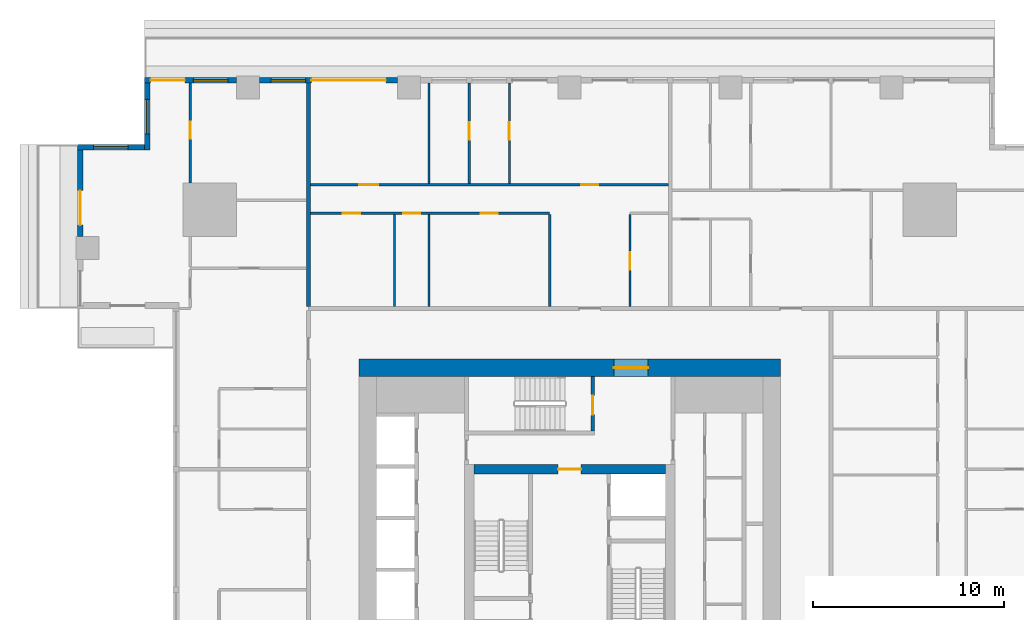
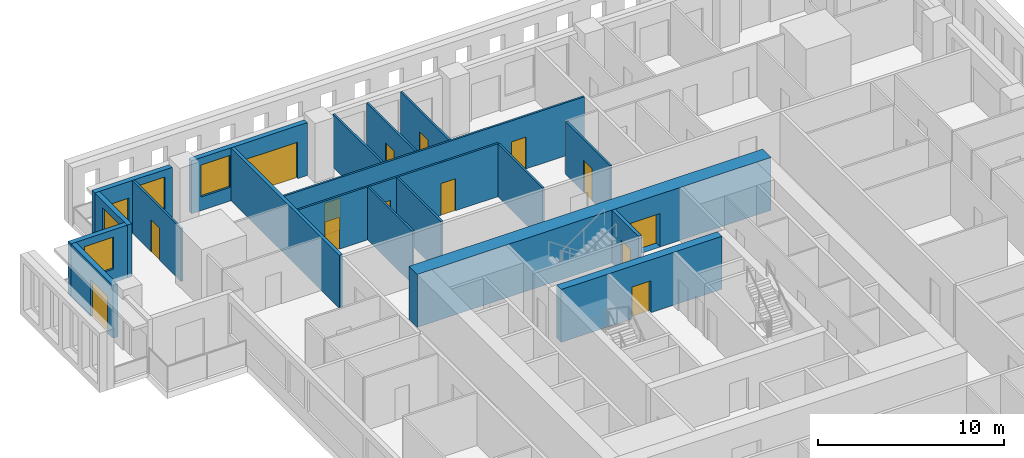
# One storey, part 7 of 15: 19 walls, 15 doors, 4 windows, 19 openings.
"""IFC4 building model written with IfcOpenShell, lengths in metres."""

from ifc_helpers import new_model, si_unit, direction, frame, frame_2d, origin, place, context, subcontext, project, spatial, rectangle, extrude, material, layer, layer_set, type_object, element, fill, save


model = new_model("IFC4")

# Units and contexts
model_context = context("Model", 3, precision=1e-05, world=origin(), true_north=direction((0.0, 1.0)))
body_context = subcontext(model_context, "Body", "Model", "MODEL_VIEW")
ifc_project = project(units=[si_unit("LENGTHUNIT", "METRE"), si_unit("AREAUNIT", "SQUARE_METRE"), si_unit("VOLUMEUNIT", "CUBIC_METRE"), si_unit("PLANEANGLEUNIT", "RADIAN"), si_unit("MASSUNIT", "GRAM", prefix="KILO")], contexts=[model_context])

# Site, building, storey
site_placement = place(None, origin())
site = spatial("IfcSite", under=ifc_project, at=site_placement, CompositionType="ELEMENT")
building_placement = place(site_placement, origin())
building = spatial("IfcBuilding", under=site, at=building_placement, Name="Khepri Terraces", CompositionType="ELEMENT")
storey_placement = place(building_placement, frame((0.0, 0.0, 118.199951171875)))
storey = spatial("IfcBuildingStorey", under=building, at=storey_placement, Name="L28", CompositionType="ELEMENT", Elevation=118.199951171875)

# Wall, opening, door
ifc_material_1 = material(Name="Concrete C70/85", Category="concrete")
ifc_layer_1 = layer(ifc_material_1, 0.199951171875, Name="Concrete C70/85", Category="concrete")
ifc_layer_set_1 = layer_set([ifc_layer_1], Name="Concrete C70/85")
wall_type_1 = type_object("IfcWallType", Name="Core wall 200 C70/85", PredefinedType="SHEAR", material=ifc_layer_set_1)
wall_1_placement = place(storey_placement, frame((1.199951171875, 7.25, 0.0), z_axis=(0.0, 0.0, 1.0), x_axis=(0.0, 1.0, 0.0)))
wall_1 = element("IfcWall", 1, at=wall_1_placement, inside=storey, type_object=wall_type_1, Name="Core wall ST07 L28", PredefinedType="SHEAR", context=body_context, shape_type="SweptSolid", body=[
    extrude(rectangle(XDim=2.85009765625, YDim=0.199951171875, at=frame_2d((1.425048828125, 0.0))), origin(), (0.0, 0.0, 1.0), 3.47998046875),
])
opening_1_placement = place(wall_1_placement, frame((0.85009765625, 0.0, 0.0)))
opening_1 = element("IfcOpeningElement", 2, at=opening_1_placement, cuts=wall_1, Name="Opening L28-C15", PredefinedType="OPENING", context=body_context, shape_type="SweptSolid", body=[
    extrude(rectangle(XDim=1.0, YDim=2.10009765625, at=frame_2d((0.5, 1.050048828125))), frame((0.0, 0.10986328125, 0.0), z_axis=(0.0, -1.0, 0.0), x_axis=(1.0, 0.0, 0.0)), (0.0, 0.0, 1.0), 0.219970703125),
])
ifc_material_2 = material(Name="Painted steel", Category="steel")
door_type_1 = type_object("IfcDoorType", Name="DR-CORE-STAIR-1000", OperationType="NOTDEFINED", PredefinedType="DOOR", material=ifc_material_2)
door_1_placement = place(opening_1_placement, origin())
door_1 = element("IfcDoor", 3, at=door_1_placement, inside=storey, type_object=door_type_1, Name="Stair door L28-C15", OperationType="SINGLE_SWING_LEFT", OverallHeight=2.10009765625, OverallWidth=1.0, PredefinedType="DOOR", context=body_context, shape_type="SweptSolid", body=[
    extrude(rectangle(XDim=1.0, YDim=2.10009765625, at=frame_2d((0.5, 1.050048828125))), frame((0.0, 0.02490234375, 0.0), z_axis=(0.0, -1.0, 0.0), x_axis=(1.0, 0.0, 0.0)), (0.0, 0.0, 1.0), 0.050048828125),
])
fill(opening_1, door_1)

ifc_layer_2 = layer(ifc_material_1, 0.5, Name="Concrete C70/85", Category="concrete")
ifc_layer_set_2 = layer_set([ifc_layer_2], Name="Concrete C70/85")
wall_type_2 = type_object("IfcWallType", Name="Core wall 500 C70/85", PredefinedType="SHEAR", material=ifc_layer_set_2)
wall_2_placement = place(storey_placement, frame((-5.0, 5.25, 0.0), z_axis=(0.0, 0.0, 1.0), x_axis=(1.0, 0.0, 0.0)))
wall_2 = element("IfcWall", 4, at=wall_2_placement, inside=storey, type_object=wall_type_2, Name="Core wall BX04 L28", PredefinedType="SHEAR", context=body_context, shape_type="SweptSolid", body=[
    extrude(rectangle(XDim=10.0, YDim=0.5, at=frame_2d((5.0, 0.0))), origin(), (0.0, 0.0, 1.0), 3.47998046875),
])
opening_2_placement = place(wall_2_placement, frame((4.39990234375, 0.0, 0.0)))
opening_2 = element("IfcOpeningElement", 5, at=opening_2_placement, cuts=wall_2, Name="Opening L28-C13", PredefinedType="OPENING", context=body_context, shape_type="SweptSolid", body=[
    extrude(rectangle(XDim=1.199951171875, YDim=2.10009765625, at=frame_2d((0.60009765625, 1.050048828125))), frame((0.0, 0.260009765625, 0.0), z_axis=(0.0, -1.0, 0.0), x_axis=(1.0, 0.0, 0.0)), (0.0, 0.0, 1.0), 0.52001953125),
])
door_type_2 = type_object("IfcDoorType", Name="DR-CORE-FF-LOBBY-1200", OperationType="NOTDEFINED", PredefinedType="DOOR", material=ifc_material_2)
door_2_placement = place(opening_2_placement, frame((1.199951171875, 0.0, 0.0), z_axis=(0.0, 0.0, 1.0), x_axis=(-1.0, 0.0, 0.0)))
door_2 = element("IfcDoor", 6, at=door_2_placement, inside=storey, type_object=door_type_2, Name="Firefighting lobby door L28-C13", OperationType="SINGLE_SWING_LEFT", OverallHeight=2.10009765625, OverallWidth=1.199951171875, PredefinedType="DOOR", context=body_context, shape_type="SweptSolid", body=[
    extrude(rectangle(XDim=1.199951171875, YDim=2.10009765625, at=frame_2d((0.60009765625, 1.050048828125))), frame((0.0, 0.02490234375, 0.0), z_axis=(0.0, -1.0, 0.0), x_axis=(1.0, 0.0, 0.0)), (0.0, 0.0, 1.0), 0.050048828125),
])
fill(opening_2, door_2)

ifc_layer_3 = layer(ifc_material_1, 0.89990234375, Name="Concrete C70/85", Category="concrete")
ifc_layer_set_3 = layer_set([ifc_layer_3], Name="Concrete C70/85")
wall_type_3 = type_object("IfcWallType", Name="Core wall 900 C70/85", PredefinedType="SHEAR", material=ifc_layer_set_3)
wall_3_placement = place(storey_placement, frame((-11.0, 10.550048828125, 0.0), z_axis=(0.0, 0.0, 1.0), x_axis=(1.0, 0.0, 0.0)))
wall_3 = element("IfcWall", 7, at=wall_3_placement, inside=storey, type_object=wall_type_3, Name="Core wall OW-N L28", PredefinedType="SHEAR", context=body_context, shape_type="SweptSolid", body=[
    extrude(rectangle(XDim=22.0, YDim=0.89990234375, at=frame_2d((11.0, 0.0))), origin(), (0.0, 0.0, 1.0), 3.47998046875),
])
opening_3_placement = place(wall_3_placement, frame((13.300048828125, 0.0, 0.0)))
opening_3 = element("IfcOpeningElement", 8, at=opening_3_placement, cuts=wall_3, Name="Opening L28-C20", PredefinedType="OPENING", context=body_context, shape_type="SweptSolid", body=[
    extrude(rectangle(XDim=1.800048828125, YDim=2.199951171875, at=frame_2d((0.89990234375, 1.10009765625))), frame((0.0, 0.4599609375, 0.0), z_axis=(0.0, -1.0, 0.0), x_axis=(1.0, 0.0, 0.0)), (0.0, 0.0, 1.0), 0.919921875),
])
door_type_3 = type_object("IfcDoorType", Name="DR-CORE-ENTRANCE-1800", OperationType="NOTDEFINED", PredefinedType="DOOR", material=ifc_material_2)
door_3_placement = place(opening_3_placement, origin())
door_3 = element("IfcDoor", 9, at=door_3_placement, inside=storey, type_object=door_type_3, Name="Core entrance door pair L28-C20", OperationType="DOUBLE_DOOR_SINGLE_SWING", OverallHeight=2.199951171875, OverallWidth=1.800048828125, PredefinedType="DOOR", context=body_context, shape_type="SweptSolid", body=[
    extrude(rectangle(XDim=1.800048828125, YDim=2.199951171875, at=frame_2d((0.89990234375, 1.10009765625))), frame((0.0, 0.02490234375, 0.0), z_axis=(0.0, -1.0, 0.0), x_axis=(1.0, 0.0, 0.0)), (0.0, 0.0, 1.0), 0.050048828125),
])
fill(opening_3, door_3)

# Wall
ifc_material_3 = material(Name="Fire-rated gypsum plasterboard partition, mineral wool")
ifc_layer_4 = layer(ifc_material_3, 0.199951171875, Name="Fire-rated gypsum plasterboard partition, mineral wool")
ifc_layer_set_4 = layer_set([ifc_layer_4], Name="Fire-rated gypsum plasterboard partition, mineral wool")
wall_type_4 = type_object("IfcWallType", Name="WL-CORR-200", PredefinedType="PARTITIONING", material=ifc_layer_set_4)
wall_4_placement = place(storey_placement, frame((-13.64990234375, 13.75, 0.0), z_axis=(0.0, 0.0, 1.0), x_axis=(0.0, 1.0, 0.0)))
element("IfcWall", 10, at=wall_4_placement, inside=storey, type_object=wall_type_4, Name="Partition P-072 L28", PredefinedType="PARTITIONING", context=body_context, shape_type="SweptSolid", body=[
    extrude(rectangle(XDim=11.669921875, YDim=0.199951171875, at=frame_2d((5.8349609375, 0.0))), origin(), (0.0, 0.0, 1.0), 3.47998046875),
])

# Wall, openings, door, window
ifc_material_4 = material(Name="Precast concrete C50/60 warm stone", Category="masonry")
ifc_layer_5 = layer(ifc_material_4, 0.300048828125, Name="Precast concrete C50/60 warm stone", Category="masonry")
ifc_layer_set_5 = layer_set([ifc_layer_5], Name="Precast concrete C50/60 warm stone")
wall_type_5 = type_object("IfcWallType", Name="WL-EXT-PRECAST-300", PredefinedType="STANDARD", material=ifc_layer_set_5)
wall_5_placement = place(storey_placement, frame((-9.0, 25.570068359375, 0.0), z_axis=(0.0, 0.0, 1.0), x_axis=(-1.0, 0.0, 0.0)))
wall_5 = element("IfcWall", 11, at=wall_5_placement, inside=storey, type_object=wall_type_5, Name="External wall L28 N", PredefinedType="STANDARD", context=body_context, shape_type="SweptSolid", body=[
    extrude(rectangle(XDim=7.199951171875, YDim=0.300048828125, at=frame_2d((3.60009765625, 0.0))), origin(), (0.0, 0.0, 1.0), 3.47998046875),
])
opening_4_placement = place(wall_5_placement, frame((0.60009765625, 0.0, 0.0)))
opening_4 = element("IfcOpeningElement", 12, at=opening_4_placement, cuts=wall_5, Name="Opening ED-L28-13", PredefinedType="OPENING", context=body_context, shape_type="SweptSolid", body=[
    extrude(rectangle(XDim=3.89990234375, YDim=2.39990234375, at=frame_2d((1.949951171875, 1.199951171875))), frame((0.0, 0.16015625, 0.0), z_axis=(0.0, -1.0, 0.0), x_axis=(1.0, 0.0, 0.0)), (0.0, 0.0, 1.0), 0.320068359375),
])
opening_5_placement = place(wall_5_placement, frame((4.800048828125, 0.0, 0.89990234375)))
opening_5 = element("IfcOpeningElement", 13, at=opening_5_placement, cuts=wall_5, Name="Opening W1", PredefinedType="OPENING", context=body_context, shape_type="SweptSolid", body=[
    extrude(rectangle(XDim=1.800048828125, YDim=2.10009765625, at=frame_2d((0.89990234375, 1.050048828125))), frame((0.0, 0.16015625, 0.0), z_axis=(0.0, -1.0, 0.0), x_axis=(1.0, 0.0, 0.0)), (0.0, 0.0, 1.0), 0.320068359375),
])
ifc_material_5 = material(Name="Anodised aluminium bronze glazed door", Category="aluminium")
door_type_4 = type_object("IfcDoorType", Name="DR-BAL-SLIDE-3900x2400", OperationType="NOTDEFINED", PredefinedType="DOOR", material=ifc_material_5)
door_4_placement = place(opening_4_placement, origin())
door_4 = element("IfcDoor", 14, at=door_4_placement, inside=storey, type_object=door_type_4, Name="Balcony door L28 N", OperationType="SLIDING_TO_LEFT", OverallHeight=2.39990234375, OverallWidth=3.89990234375, PredefinedType="DOOR", context=body_context, shape_type="SweptSolid", body=[
    extrude(rectangle(XDim=3.89990234375, YDim=2.39990234375, at=frame_2d((1.949951171875, 1.199951171875))), frame((0.0, 0.02490234375, 0.0), z_axis=(0.0, -1.0, 0.0), x_axis=(1.0, 0.0, 0.0)), (0.0, 0.0, 1.0), 0.050048828125),
])
fill(opening_4, door_4)
ifc_material_6 = material(Name="Clear glass", Category="glass")
window_type = type_object("IfcWindowType", Name="WIN-RES-1800x2100", PartitioningType="SINGLE_PANEL", PredefinedType="WINDOW", material=ifc_material_6)
window_1_placement = place(opening_5_placement, origin())
window_1 = element("IfcWindow", 15, at=window_1_placement, inside=storey, type_object=window_type, Name="Window L28 N", OverallHeight=2.10009765625, OverallWidth=1.800048828125, PartitioningType="SINGLE_PANEL", PredefinedType="WINDOW", context=body_context, shape_type="SweptSolid", body=[
    extrude(rectangle(XDim=1.800048828125, YDim=2.10009765625, at=frame_2d((0.89990234375, 1.050048828125))), frame((0.0, 0.030029296875, 0.0), z_axis=(0.0, -1.0, 0.0), x_axis=(1.0, 0.0, 0.0)), (0.0, 0.0, 1.0), 0.06005859375),
])
fill(opening_5, window_1)

wall_6_placement = place(storey_placement, frame((-17.39990234375, 25.570068359375, 0.0), z_axis=(0.0, 0.0, 1.0), x_axis=(-1.0, 0.0, 0.0)))
wall_6 = element("IfcWall", 16, at=wall_6_placement, inside=storey, type_object=wall_type_5, Name="External wall L28 N", PredefinedType="STANDARD", context=body_context, shape_type="SweptSolid", body=[
    extrude(rectangle(XDim=4.820068359375, YDim=0.300048828125, at=frame_2d((2.41015625, 0.0))), origin(), (0.0, 0.0, 1.0), 3.47998046875),
])
opening_6_placement = place(wall_6_placement, frame((2.699951171875, 0.0, 0.0)))
opening_6 = element("IfcOpeningElement", 17, at=opening_6_placement, cuts=wall_6, Name="Opening ED-L28-14", PredefinedType="OPENING", context=body_context, shape_type="SweptSolid", body=[
    extrude(rectangle(XDim=1.800048828125, YDim=2.39990234375, at=frame_2d((0.89990234375, 1.199951171875))), frame((0.0, 0.16015625, 0.0), z_axis=(0.0, -1.0, 0.0), x_axis=(1.0, 0.0, 0.0)), (0.0, 0.0, 1.0), 0.320068359375),
])
opening_7_placement = place(wall_6_placement, frame((0.4599609375, 0.0, 0.89990234375)))
opening_7 = element("IfcOpeningElement", 18, at=opening_7_placement, cuts=wall_6, Name="Opening W1", PredefinedType="OPENING", context=body_context, shape_type="SweptSolid", body=[
    extrude(rectangle(XDim=1.800048828125, YDim=2.10009765625, at=frame_2d((0.89990234375, 1.050048828125))), frame((0.0, 0.16015625, 0.0), z_axis=(0.0, -1.0, 0.0), x_axis=(1.0, 0.0, 0.0)), (0.0, 0.0, 1.0), 0.320068359375),
])
door_type_5 = type_object("IfcDoorType", Name="DR-BAL-SLIDE-1800x2400", OperationType="NOTDEFINED", PredefinedType="DOOR", material=ifc_material_5)
door_5_placement = place(opening_6_placement, origin())
door_5 = element("IfcDoor", 19, at=door_5_placement, inside=storey, type_object=door_type_5, Name="Balcony door L28 N", OperationType="SLIDING_TO_LEFT", OverallHeight=2.39990234375, OverallWidth=1.800048828125, PredefinedType="DOOR", context=body_context, shape_type="SweptSolid", body=[
    extrude(rectangle(XDim=1.800048828125, YDim=2.39990234375, at=frame_2d((0.89990234375, 1.199951171875))), frame((0.0, 0.02490234375, 0.0), z_axis=(0.0, -1.0, 0.0), x_axis=(1.0, 0.0, 0.0)), (0.0, 0.0, 1.0), 0.050048828125),
])
fill(opening_6, door_5)
window_2_placement = place(opening_7_placement, origin())
window_2 = element("IfcWindow", 20, at=window_2_placement, inside=storey, type_object=window_type, Name="Window L28 N", OverallHeight=2.10009765625, OverallWidth=1.800048828125, PartitioningType="SINGLE_PANEL", PredefinedType="WINDOW", context=body_context, shape_type="SweptSolid", body=[
    extrude(rectangle(XDim=1.800048828125, YDim=2.10009765625, at=frame_2d((0.89990234375, 1.050048828125))), frame((0.0, 0.030029296875, 0.0), z_axis=(0.0, -1.0, 0.0), x_axis=(1.0, 0.0, 0.0)), (0.0, 0.0, 1.0), 0.06005859375),
])
fill(opening_7, window_2)

# Wall, opening, window
wall_7_placement = place(storey_placement, frame((-22.070068359375, 25.419921875, 0.0), z_axis=(0.0, 0.0, 1.0), x_axis=(0.0, -1.0, 0.0)))
wall_7 = element("IfcWall", 21, at=wall_7_placement, inside=storey, type_object=wall_type_5, Name="External wall L28 W", PredefinedType="STANDARD", context=body_context, shape_type="SweptSolid", body=[
    extrude(rectangle(XDim=3.5, YDim=0.300048828125, at=frame_2d((1.75, 0.0))), origin(), (0.0, 0.0, 1.0), 3.47998046875),
])
opening_8_placement = place(wall_7_placement, frame((0.85009765625, 0.0, 0.89990234375)))
opening_8 = element("IfcOpeningElement", 22, at=opening_8_placement, cuts=wall_7, Name="Opening W1", PredefinedType="OPENING", context=body_context, shape_type="SweptSolid", body=[
    extrude(rectangle(XDim=1.800048828125, YDim=2.10009765625, at=frame_2d((0.89990234375, 1.050048828125))), frame((0.0, 0.16015625, 0.0), z_axis=(0.0, -1.0, 0.0), x_axis=(1.0, 0.0, 0.0)), (0.0, 0.0, 1.0), 0.320068359375),
])
window_3_placement = place(opening_8_placement, origin())
window_3 = element("IfcWindow", 23, at=window_3_placement, inside=storey, type_object=window_type, Name="Window L28 W", OverallHeight=2.10009765625, OverallWidth=1.800048828125, PartitioningType="SINGLE_PANEL", PredefinedType="WINDOW", context=body_context, shape_type="SweptSolid", body=[
    extrude(rectangle(XDim=1.800048828125, YDim=2.10009765625, at=frame_2d((0.89990234375, 1.050048828125))), frame((0.0, 0.030029296875, 0.0), z_axis=(0.0, -1.0, 0.0), x_axis=(1.0, 0.0, 0.0)), (0.0, 0.0, 1.0), 0.06005859375),
])
fill(opening_8, window_3)

wall_8_placement = place(storey_placement, frame((-22.219970703125, 22.070068359375, 0.0), z_axis=(0.0, 0.0, 1.0), x_axis=(-1.0, 0.0, 0.0)))
wall_8 = element("IfcWall", 24, at=wall_8_placement, inside=storey, type_object=wall_type_5, Name="External wall L28 N", PredefinedType="STANDARD", context=body_context, shape_type="SweptSolid", body=[
    extrude(rectangle(XDim=3.5, YDim=0.300048828125, at=frame_2d((1.75, 0.0))), origin(), (0.0, 0.0, 1.0), 3.47998046875),
])
opening_9_placement = place(wall_8_placement, frame((0.85009765625, 0.0, 0.89990234375)))
opening_9 = element("IfcOpeningElement", 25, at=opening_9_placement, cuts=wall_8, Name="Opening W1", PredefinedType="OPENING", context=body_context, shape_type="SweptSolid", body=[
    extrude(rectangle(XDim=1.800048828125, YDim=2.10009765625, at=frame_2d((0.89990234375, 1.050048828125))), frame((0.0, 0.16015625, 0.0), z_axis=(0.0, -1.0, 0.0), x_axis=(1.0, 0.0, 0.0)), (0.0, 0.0, 1.0), 0.320068359375),
])
window_4_placement = place(opening_9_placement, origin())
window_4 = element("IfcWindow", 26, at=window_4_placement, inside=storey, type_object=window_type, Name="Window L28 N", OverallHeight=2.10009765625, OverallWidth=1.800048828125, PartitioningType="SINGLE_PANEL", PredefinedType="WINDOW", context=body_context, shape_type="SweptSolid", body=[
    extrude(rectangle(XDim=1.800048828125, YDim=2.10009765625, at=frame_2d((0.89990234375, 1.050048828125))), frame((0.0, 0.030029296875, 0.0), z_axis=(0.0, -1.0, 0.0), x_axis=(1.0, 0.0, 0.0)), (0.0, 0.0, 1.0), 0.06005859375),
])
fill(opening_9, window_4)

# Wall, opening, door
wall_9_placement = place(storey_placement, frame((-25.570068359375, 21.919921875, 0.0), z_axis=(0.0, 0.0, 1.0), x_axis=(0.0, -1.0, 0.0)))
wall_9 = element("IfcWall", 27, at=wall_9_placement, inside=storey, type_object=wall_type_5, Name="External wall L28 W", PredefinedType="STANDARD", context=body_context, shape_type="SweptSolid", body=[
    extrude(rectangle(XDim=4.52001953125, YDim=0.300048828125, at=frame_2d((2.260009765625, 0.0))), origin(), (0.0, 0.0, 1.0), 3.47998046875),
])
opening_10_placement = place(wall_9_placement, frame((2.1201171875, 0.0, 0.0)))
opening_10 = element("IfcOpeningElement", 28, at=opening_10_placement, cuts=wall_9, Name="Opening ED-L28-15", PredefinedType="OPENING", context=body_context, shape_type="SweptSolid", body=[
    extrude(rectangle(XDim=1.800048828125, YDim=2.39990234375, at=frame_2d((0.89990234375, 1.199951171875))), frame((0.0, 0.16015625, 0.0), z_axis=(0.0, -1.0, 0.0), x_axis=(1.0, 0.0, 0.0)), (0.0, 0.0, 1.0), 0.320068359375),
])
door_6_placement = place(opening_10_placement, origin())
door_6 = element("IfcDoor", 29, at=door_6_placement, inside=storey, type_object=door_type_5, Name="Balcony door L28 W", OperationType="SLIDING_TO_RIGHT", OverallHeight=2.39990234375, OverallWidth=1.800048828125, PredefinedType="DOOR", context=body_context, shape_type="SweptSolid", body=[
    extrude(rectangle(XDim=1.800048828125, YDim=2.39990234375, at=frame_2d((0.89990234375, 1.199951171875))), frame((0.0, 0.02490234375, 0.0), z_axis=(0.0, -1.0, 0.0), x_axis=(1.0, 0.0, 0.0)), (0.0, 0.0, 1.0), 0.050048828125),
])
fill(opening_10, door_6)

# Walls
ifc_material_7 = material(Name="Gypsum plasterboard partition")
ifc_layer_6 = layer(ifc_material_7, 0.1201171875, Name="Gypsum plasterboard partition")
ifc_layer_set_6 = layer_set([ifc_layer_6], Name="Gypsum plasterboard partition")
wall_type_6 = type_object("IfcWallType", Name="WL-PART-120", PredefinedType="PARTITIONING", material=ifc_layer_set_6)
for number, where, z_axis, x_axis, name in (
    (30, (-9.14990234375, 13.75, 0.0), (0.0, 0.0, 1.0), (0.0, 1.0, 0.0), "Partition P-073 L28"),
    (31, (-7.35009765625, 13.75, 0.0), (0.0, 0.0, 1.0), (0.0, 1.0, 0.0), "Partition P-074 L28"),
    (32, (-1.050048828125, 13.75, 0.0), (0.0, 0.0, 1.0), (0.0, 1.0, 0.0), "Partition P-075 L28"),
):
    element("IfcWall", number, at=place(storey_placement, frame(where, z_axis=z_axis, x_axis=x_axis)), inside=storey, type_object=wall_type_6, Name=name, PredefinedType="PARTITIONING", context=body_context, shape_type="SweptSolid", body=[
        extrude(rectangle(XDim=4.81005859375, YDim=0.1201171875, at=frame_2d((2.405029296875, 0.0))), origin(), (0.0, 0.0, 1.0), 3.47998046875),
    ])

# Wall, opening, door
wall_10_placement = place(storey_placement, frame((3.14990234375, 13.75, 0.0), z_axis=(0.0, 0.0, 1.0), x_axis=(0.0, 1.0, 0.0)))
wall_10 = element("IfcWall", 33, at=wall_10_placement, inside=storey, type_object=wall_type_6, Name="Partition P-076 L28", PredefinedType="PARTITIONING", context=body_context, shape_type="SweptSolid", body=[
    extrude(rectangle(XDim=4.81005859375, YDim=0.1201171875, at=frame_2d((2.405029296875, 0.0))), origin(), (0.0, 0.0, 1.0), 3.47998046875),
])
opening_11_placement = place(wall_10_placement, frame((1.93505859375, 0.0, 0.0)))
opening_11 = element("IfcOpeningElement", 34, at=opening_11_placement, cuts=wall_10, Name="Opening D4", PredefinedType="OPENING", context=body_context, shape_type="SweptSolid", body=[
    extrude(rectangle(XDim=0.89990234375, YDim=2.10009765625, at=frame_2d((0.449951171875, 1.050048828125))), frame((0.0, 0.070068359375, 0.0), z_axis=(0.0, -1.0, 0.0), x_axis=(1.0, 0.0, 0.0)), (0.0, 0.0, 1.0), 0.14013671875),
])
ifc_material_8 = material(Name="Timber door leaf, moisture resistant", Category="wood")
door_type_6 = type_object("IfcDoorType", Name="DR-WET-900", OperationType="NOTDEFINED", PredefinedType="DOOR", material=ifc_material_8)
door_7_placement = place(opening_11_placement, frame((0.89990234375, 0.0, 0.0), z_axis=(0.0, 0.0, 1.0), x_axis=(-1.0, 0.0, 0.0)))
door_7 = element("IfcDoor", 35, at=door_7_placement, inside=storey, type_object=door_type_6, Name="Door Guest Bathroom", OperationType="SINGLE_SWING_RIGHT", OverallHeight=2.10009765625, OverallWidth=0.89990234375, PredefinedType="DOOR", context=body_context, shape_type="SweptSolid", body=[
    extrude(rectangle(XDim=0.89990234375, YDim=2.10009765625, at=frame_2d((0.449951171875, 1.050048828125))), frame((0.0, 0.02490234375, 0.0), z_axis=(0.0, -1.0, 0.0), x_axis=(1.0, 0.0, 0.0)), (0.0, 0.0, 1.0), 0.050048828125),
])
fill(opening_11, door_7)

# Wall, openings, doors
wall_11_placement = place(storey_placement, frame((-13.550048828125, 18.6201171875, 0.0), z_axis=(0.0, 0.0, 1.0), x_axis=(1.0, 0.0, 0.0)))
wall_11 = element("IfcWall", 36, at=wall_11_placement, inside=storey, type_object=wall_type_6, Name="Partition P-084 L28", PredefinedType="PARTITIONING", context=body_context, shape_type="SweptSolid", body=[
    extrude(rectangle(XDim=12.5, YDim=0.1201171875, at=frame_2d((6.25, 0.0))), origin(), (0.0, 0.0, 1.0), 3.47998046875),
])
opening_12_placement = place(wall_11_placement, frame((8.89990234375, 0.0, 0.0)))
opening_12 = element("IfcOpeningElement", 37, at=opening_12_placement, cuts=wall_11, Name="Opening D3", PredefinedType="OPENING", context=body_context, shape_type="SweptSolid", body=[
    extrude(rectangle(XDim=0.89990234375, YDim=2.10009765625, at=frame_2d((0.449951171875, 1.050048828125))), frame((0.0, 0.070068359375, 0.0), z_axis=(0.0, -1.0, 0.0), x_axis=(1.0, 0.0, 0.0)), (0.0, 0.0, 1.0), 0.14013671875),
])
opening_13_placement = place(wall_11_placement, frame((4.85009765625, 0.0, 0.0)))
opening_13 = element("IfcOpeningElement", 38, at=opening_13_placement, cuts=wall_11, Name="Opening D4", PredefinedType="OPENING", context=body_context, shape_type="SweptSolid", body=[
    extrude(rectangle(XDim=0.89990234375, YDim=2.10009765625, at=frame_2d((0.449951171875, 1.050048828125))), frame((0.0, 0.070068359375, 0.0), z_axis=(0.0, -1.0, 0.0), x_axis=(1.0, 0.0, 0.0)), (0.0, 0.0, 1.0), 0.14013671875),
])
opening_14_placement = place(wall_11_placement, frame((1.699951171875, 0.0, 0.0)))
opening_14 = element("IfcOpeningElement", 39, at=opening_14_placement, cuts=wall_11, Name="Opening D3", PredefinedType="OPENING", context=body_context, shape_type="SweptSolid", body=[
    extrude(rectangle(XDim=0.89990234375, YDim=2.10009765625, at=frame_2d((0.449951171875, 1.050048828125))), frame((0.0, 0.070068359375, 0.0), z_axis=(0.0, -1.0, 0.0), x_axis=(1.0, 0.0, 0.0)), (0.0, 0.0, 1.0), 0.14013671875),
])
ifc_material_9 = material(Name="Timber door leaf", Category="wood")
door_type_7 = type_object("IfcDoorType", Name="DR-INT-900", OperationType="NOTDEFINED", PredefinedType="DOOR", material=ifc_material_9)
door_8_placement = place(opening_12_placement, frame((0.89990234375, 0.0, 0.0), z_axis=(0.0, 0.0, 1.0), x_axis=(-1.0, 0.0, 0.0)))
door_8 = element("IfcDoor", 40, at=door_8_placement, inside=storey, type_object=door_type_7, Name="Door Kitchen", OperationType="SINGLE_SWING_LEFT", OverallHeight=2.10009765625, OverallWidth=0.89990234375, PredefinedType="DOOR", context=body_context, shape_type="SweptSolid", body=[
    extrude(rectangle(XDim=0.89990234375, YDim=2.10009765625, at=frame_2d((0.449951171875, 1.050048828125))), frame((0.0, 0.02490234375, 0.0), z_axis=(0.0, -1.0, 0.0), x_axis=(1.0, 0.0, 0.0)), (0.0, 0.0, 1.0), 0.050048828125),
])
fill(opening_12, door_8)
door_9_placement = place(opening_14_placement, frame((0.89990234375, 0.0, 0.0), z_axis=(0.0, 0.0, 1.0), x_axis=(-1.0, 0.0, 0.0)))
door_9 = element("IfcDoor", 41, at=door_9_placement, inside=storey, type_object=door_type_7, Name="Door Utility Room", OperationType="SINGLE_SWING_RIGHT", OverallHeight=2.10009765625, OverallWidth=0.89990234375, PredefinedType="DOOR", context=body_context, shape_type="SweptSolid", body=[
    extrude(rectangle(XDim=0.89990234375, YDim=2.10009765625, at=frame_2d((0.449951171875, 1.050048828125))), frame((0.0, 0.02490234375, 0.0), z_axis=(0.0, -1.0, 0.0), x_axis=(1.0, 0.0, 0.0)), (0.0, 0.0, 1.0), 0.050048828125),
])
fill(opening_14, door_9)
door_10_placement = place(opening_13_placement, frame((0.89990234375, 0.0, 0.0), z_axis=(0.0, 0.0, 1.0), x_axis=(-1.0, 0.0, 0.0)))
door_10 = element("IfcDoor", 42, at=door_10_placement, inside=storey, type_object=door_type_6, Name="Door Powder Room", OperationType="SINGLE_SWING_RIGHT", OverallHeight=2.10009765625, OverallWidth=0.89990234375, PredefinedType="DOOR", context=body_context, shape_type="SweptSolid", body=[
    extrude(rectangle(XDim=0.89990234375, YDim=2.10009765625, at=frame_2d((0.449951171875, 1.050048828125))), frame((0.0, 0.02490234375, 0.0), z_axis=(0.0, -1.0, 0.0), x_axis=(1.0, 0.0, 0.0)), (0.0, 0.0, 1.0), 0.050048828125),
])
fill(opening_13, door_10)

wall_12_placement = place(storey_placement, frame((-13.550048828125, 20.1201171875, 0.0), z_axis=(0.0, 0.0, 1.0), x_axis=(1.0, 0.0, 0.0)))
wall_12 = element("IfcWall", 43, at=wall_12_placement, inside=storey, type_object=wall_type_6, Name="Partition P-092 L28", PredefinedType="PARTITIONING", context=body_context, shape_type="SweptSolid", body=[
    extrude(rectangle(XDim=18.699951171875, YDim=0.1201171875, at=frame_2d((9.35009765625, 0.0))), origin(), (0.0, 0.0, 1.0), 3.47998046875),
])
opening_15_placement = place(wall_12_placement, frame((14.14990234375, 0.0, 0.0)))
opening_15 = element("IfcOpeningElement", 44, at=opening_15_placement, cuts=wall_12, Name="Opening D3", PredefinedType="OPENING", context=body_context, shape_type="SweptSolid", body=[
    extrude(rectangle(XDim=0.89990234375, YDim=2.10009765625, at=frame_2d((0.449951171875, 1.050048828125))), frame((0.0, 0.070068359375, 0.0), z_axis=(0.0, -1.0, 0.0), x_axis=(1.0, 0.0, 0.0)), (0.0, 0.0, 1.0), 0.14013671875),
])
opening_16_placement = place(wall_12_placement, frame((2.550048828125, 0.0, 0.0)))
opening_16 = element("IfcOpeningElement", 45, at=opening_16_placement, cuts=wall_12, Name="Opening D2", PredefinedType="OPENING", context=body_context, shape_type="SweptSolid", body=[
    extrude(rectangle(XDim=1.0, YDim=2.10009765625, at=frame_2d((0.5, 1.050048828125))), frame((0.0, 0.070068359375, 0.0), z_axis=(0.0, -1.0, 0.0), x_axis=(1.0, 0.0, 0.0)), (0.0, 0.0, 1.0), 0.14013671875),
])
ifc_material_10 = material(Name="Timber door leaf, living room door", Category="wood")
door_type_8 = type_object("IfcDoorType", Name="DR-INT-1000", OperationType="NOTDEFINED", PredefinedType="DOOR", material=ifc_material_10)
door_11_placement = place(opening_16_placement, origin())
door_11 = element("IfcDoor", 46, at=door_11_placement, inside=storey, type_object=door_type_8, Name="Door Living Room", OperationType="SINGLE_SWING_LEFT", OverallHeight=2.10009765625, OverallWidth=1.0, PredefinedType="DOOR", context=body_context, shape_type="SweptSolid", body=[
    extrude(rectangle(XDim=1.0, YDim=2.10009765625, at=frame_2d((0.5, 1.050048828125))), frame((0.0, 0.02490234375, 0.0), z_axis=(0.0, -1.0, 0.0), x_axis=(1.0, 0.0, 0.0)), (0.0, 0.0, 1.0), 0.050048828125),
])
fill(opening_16, door_11)
door_12_placement = place(opening_15_placement, origin())
door_12 = element("IfcDoor", 47, at=door_12_placement, inside=storey, type_object=door_type_7, Name="Door Master Bedroom", OperationType="SINGLE_SWING_RIGHT", OverallHeight=2.10009765625, OverallWidth=0.89990234375, PredefinedType="DOOR", context=body_context, shape_type="SweptSolid", body=[
    extrude(rectangle(XDim=0.89990234375, YDim=2.10009765625, at=frame_2d((0.449951171875, 1.050048828125))), frame((0.0, 0.02490234375, 0.0), z_axis=(0.0, -1.0, 0.0), x_axis=(1.0, 0.0, 0.0)), (0.0, 0.0, 1.0), 0.050048828125),
])
fill(opening_15, door_12)

# Wall
wall_13_placement = place(storey_placement, frame((-7.35009765625, 20.179931640625, 0.0), z_axis=(0.0, 0.0, 1.0), x_axis=(0.0, 1.0, 0.0)))
element("IfcWall", 48, at=wall_13_placement, inside=storey, type_object=wall_type_6, Name="Partition P-093 L28", PredefinedType="PARTITIONING", context=body_context, shape_type="SweptSolid", body=[
    extrude(rectangle(XDim=5.239990234375, YDim=0.1201171875, at=frame_2d((2.6201171875, 0.0))), origin(), (0.0, 0.0, 1.0), 3.47998046875),
])

# Wall, opening, door
wall_14_placement = place(storey_placement, frame((-5.25, 20.179931640625, 0.0), z_axis=(0.0, 0.0, 1.0), x_axis=(0.0, 1.0, 0.0)))
wall_14 = element("IfcWall", 49, at=wall_14_placement, inside=storey, type_object=wall_type_6, Name="Partition P-094 L28", PredefinedType="PARTITIONING", context=body_context, shape_type="SweptSolid", body=[
    extrude(rectangle(XDim=5.239990234375, YDim=0.1201171875, at=frame_2d((2.6201171875, 0.0))), origin(), (0.0, 0.0, 1.0), 3.47998046875),
])
opening_17_placement = place(wall_14_placement, frame((2.2900390625, 0.0, 0.0)))
opening_17 = element("IfcOpeningElement", 50, at=opening_17_placement, cuts=wall_14, Name="Opening D4", PredefinedType="OPENING", context=body_context, shape_type="SweptSolid", body=[
    extrude(rectangle(XDim=0.89990234375, YDim=2.10009765625, at=frame_2d((0.449951171875, 1.050048828125))), frame((0.0, 0.070068359375, 0.0), z_axis=(0.0, -1.0, 0.0), x_axis=(1.0, 0.0, 0.0)), (0.0, 0.0, 1.0), 0.14013671875),
])
door_13_placement = place(opening_17_placement, origin())
door_13 = element("IfcDoor", 51, at=door_13_placement, inside=storey, type_object=door_type_6, Name="Door Bathroom", OperationType="SINGLE_SWING_RIGHT", OverallHeight=2.10009765625, OverallWidth=0.89990234375, PredefinedType="DOOR", context=body_context, shape_type="SweptSolid", body=[
    extrude(rectangle(XDim=0.89990234375, YDim=2.10009765625, at=frame_2d((0.449951171875, 1.050048828125))), frame((0.0, 0.02490234375, 0.0), z_axis=(0.0, -1.0, 0.0), x_axis=(1.0, 0.0, 0.0)), (0.0, 0.0, 1.0), 0.050048828125),
])
fill(opening_17, door_13)

wall_15_placement = place(storey_placement, frame((-3.14990234375, 20.179931640625, 0.0), z_axis=(0.0, 0.0, 1.0), x_axis=(0.0, 1.0, 0.0)))
wall_15 = element("IfcWall", 52, at=wall_15_placement, inside=storey, type_object=wall_type_6, Name="Partition P-095 L28", PredefinedType="PARTITIONING", context=body_context, shape_type="SweptSolid", body=[
    extrude(rectangle(XDim=5.239990234375, YDim=0.1201171875, at=frame_2d((2.6201171875, 0.0))), origin(), (0.0, 0.0, 1.0), 3.47998046875),
])
opening_18_placement = place(wall_15_placement, frame((2.2900390625, 0.0, 0.0)))
opening_18 = element("IfcOpeningElement", 53, at=opening_18_placement, cuts=wall_15, Name="Opening D3", PredefinedType="OPENING", context=body_context, shape_type="SweptSolid", body=[
    extrude(rectangle(XDim=0.89990234375, YDim=2.10009765625, at=frame_2d((0.449951171875, 1.050048828125))), frame((0.0, 0.070068359375, 0.0), z_axis=(0.0, -1.0, 0.0), x_axis=(1.0, 0.0, 0.0)), (0.0, 0.0, 1.0), 0.14013671875),
])
door_14_placement = place(opening_18_placement, origin())
door_14 = element("IfcDoor", 54, at=door_14_placement, inside=storey, type_object=door_type_7, Name="Door Dressing Room", OperationType="SINGLE_SWING_RIGHT", OverallHeight=2.10009765625, OverallWidth=0.89990234375, PredefinedType="DOOR", context=body_context, shape_type="SweptSolid", body=[
    extrude(rectangle(XDim=0.89990234375, YDim=2.10009765625, at=frame_2d((0.449951171875, 1.050048828125))), frame((0.0, 0.02490234375, 0.0), z_axis=(0.0, -1.0, 0.0), x_axis=(1.0, 0.0, 0.0)), (0.0, 0.0, 1.0), 0.050048828125),
])
fill(opening_18, door_14)

wall_16_placement = place(storey_placement, frame((-19.820068359375, 20.199951171875, 0.0), z_axis=(0.0, 0.0, 1.0), x_axis=(0.0, 1.0, 0.0)))
wall_16 = element("IfcWall", 55, at=wall_16_placement, inside=storey, type_object=wall_type_6, Name="Partition P-096 L28", PredefinedType="PARTITIONING", context=body_context, shape_type="SweptSolid", body=[
    extrude(rectangle(XDim=5.219970703125, YDim=0.1201171875, at=frame_2d((2.60986328125, 0.0))), origin(), (0.0, 0.0, 1.0), 3.47998046875),
])
opening_19_placement = place(wall_16_placement, frame((2.31005859375, 0.0, 0.0)))
opening_19 = element("IfcOpeningElement", 56, at=opening_19_placement, cuts=wall_16, Name="Opening D3", PredefinedType="OPENING", context=body_context, shape_type="SweptSolid", body=[
    extrude(rectangle(XDim=0.89990234375, YDim=2.10009765625, at=frame_2d((0.449951171875, 1.050048828125))), frame((0.0, 0.070068359375, 0.0), z_axis=(0.0, -1.0, 0.0), x_axis=(1.0, 0.0, 0.0)), (0.0, 0.0, 1.0), 0.14013671875),
])
door_15_placement = place(opening_19_placement, frame((0.89990234375, 0.0, 0.0), z_axis=(0.0, 0.0, 1.0), x_axis=(-1.0, 0.0, 0.0)))
door_15 = element("IfcDoor", 57, at=door_15_placement, inside=storey, type_object=door_type_7, Name="Door Staff Bedroom", OperationType="SINGLE_SWING_LEFT", OverallHeight=2.10009765625, OverallWidth=0.89990234375, PredefinedType="DOOR", context=body_context, shape_type="SweptSolid", body=[
    extrude(rectangle(XDim=0.89990234375, YDim=2.10009765625, at=frame_2d((0.449951171875, 1.050048828125))), frame((0.0, 0.02490234375, 0.0), z_axis=(0.0, -1.0, 0.0), x_axis=(1.0, 0.0, 0.0)), (0.0, 0.0, 1.0), 0.050048828125),
])
fill(opening_19, door_15)

save(model, "model.ifc")
